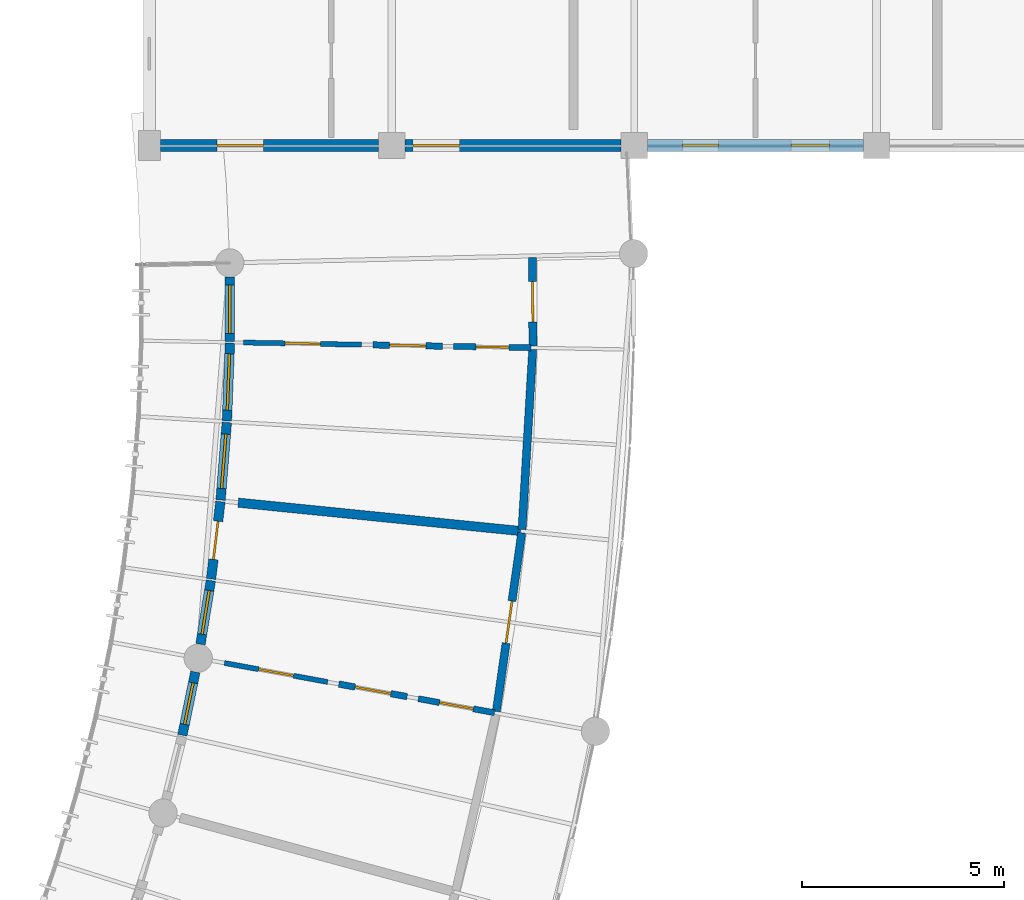
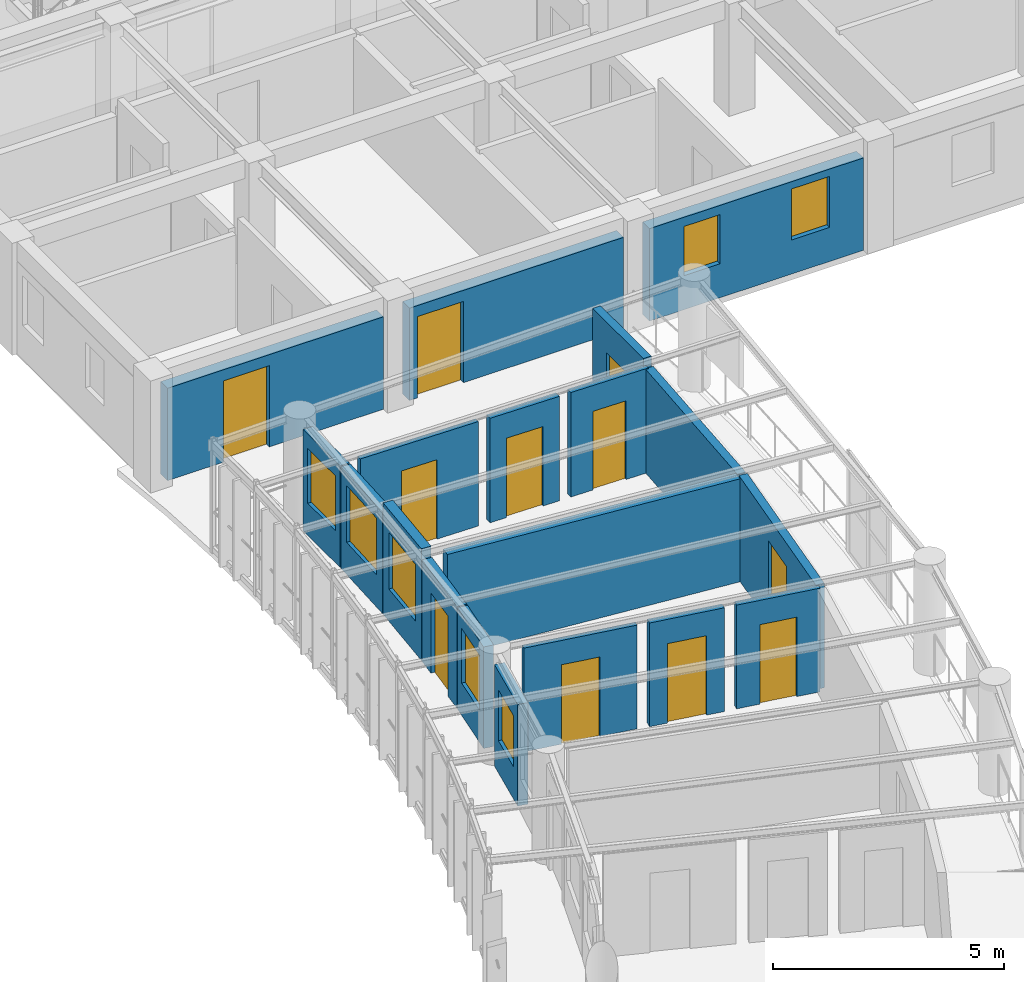
# One storey, part 67 of 100: 19 walls, 11 doors, 7 windows, 18 openings.
"""IFC4 building model written with IfcOpenShell, lengths in metres."""

from ifc_helpers import new_model, si_unit, direction, frame, frame_2d, origin, place, context, subcontext, project, spatial, rectangle, extrude, material, layer, layer_set, type_object, element, fill, save


model = new_model("IFC4")

# Units and contexts
model_context = context("Model", 3, precision=1e-05, world=origin(), true_north=direction((0.0, 1.0)))
body_context = subcontext(model_context, "Body", "Model", "MODEL_VIEW")
ifc_project = project(units=[si_unit("LENGTHUNIT", "METRE"), si_unit("AREAUNIT", "SQUARE_METRE"), si_unit("VOLUMEUNIT", "CUBIC_METRE"), si_unit("PLANEANGLEUNIT", "RADIAN"), si_unit("MASSUNIT", "GRAM", prefix="KILO"), si_unit("POWERUNIT", "WATT"), si_unit("THERMODYNAMICTEMPERATUREUNIT", "KELVIN")], contexts=[model_context])

# Site, building, storey
site_placement = place(None, origin())
site = spatial("IfcSite", under=ifc_project, at=site_placement, CompositionType="ELEMENT")
building_placement = place(site_placement, origin())
building = spatial("IfcBuilding", under=site, at=building_placement, Name="Ruvembo Vaulted Housing Court", CompositionType="ELEMENT")
storey_placement = place(building_placement, frame((0.0, 0.0, 10.89990234375)))
storey = spatial("IfcBuildingStorey", under=building, at=storey_placement, Name="L03", CompositionType="ELEMENT", Elevation=10.89990234375)

# Wall, opening, door
ifc_material_1 = material(Name="Concrete Blockwork 200", Category="masonry")
ifc_layer_1 = layer(ifc_material_1, 0.199951171875, Name="Concrete Blockwork 200")
ifc_layer_set_1 = layer_set([ifc_layer_1], Name="Concrete Blockwork 200")
wall_type_1 = type_object("IfcWallType", Name="WL-CORR-200", PredefinedType="SOLIDWALL", material=ifc_layer_set_1)
wall_1_placement = place(storey_placement, frame((56.587646484375, 63.98779296875, 0.0), z_axis=(0.0, 0.0, 1.0), x_axis=(0.140732688284, 0.990047630394, 0.0)))
wall_1 = element("IfcWall", 1, at=wall_1_placement, inside=storey, type_object=wall_type_1, Name="L03 Suite SC1-L03-U4 Entrance WL-INT-L03-00994", PredefinedType="SOLIDWALL", context=body_context, shape_type="SweptSolid", body=[
    extrude(rectangle(XDim=4.467041015625, YDim=0.199951171875, at=frame_2d((2.2333984375, 0.0))), origin(), (0.0, 0.0, 1.0), 2.76220703125),
])
opening_1_placement = place(wall_1_placement, frame((1.70849609375, 0.0, 0.0)))
opening_1 = element("IfcOpeningElement", 2, at=opening_1_placement, cuts=wall_1, Name="Opening FD3", PredefinedType="OPENING", context=body_context, shape_type="SweptSolid", body=[
    extrude(rectangle(XDim=1.050048828125, YDim=2.14990234375, at=frame_2d((0.52490234375, 1.074951171875))), frame((0.0, 0.10986328125, 0.0), z_axis=(0.0, -1.0, 0.0), x_axis=(1.0, 0.0, 0.0)), (0.0, 0.0, 1.0), 0.219970703125),
])
ifc_material_2 = material(Name="FSC Hardwood and Engineered Timber", Category="wood")
door_type_1 = type_object("IfcDoorType", Name="DR-FLAT-1050x2150", OperationType="NOTDEFINED", PredefinedType="DOOR", material=ifc_material_2)
door_1_placement = place(opening_1_placement, origin())
door_1 = element("IfcDoor", 3, at=door_1_placement, inside=storey, type_object=door_type_1, Name="L03 Suite SC1-L03-U4 Entrance Door DR-INT-L03-00548", OperationType="SINGLE_SWING_RIGHT", OverallHeight=2.14990234375, OverallWidth=1.050048828125, PredefinedType="DOOR", context=body_context, shape_type="SweptSolid", body=[
    extrude(rectangle(XDim=1.050048828125, YDim=2.14990234375, at=frame_2d((0.52490234375, 1.074951171875))), frame((0.0, 0.02490234375, 0.0), z_axis=(0.0, -1.0, 0.0), x_axis=(1.0, 0.0, 0.0)), (0.0, 0.0, 1.0), 0.050048828125),
])
fill(opening_1, door_1)

# Wall
wall_2_placement = place(storey_placement, frame((57.22412109375, 68.489990234375, 0.0), z_axis=(0.0, 0.0, 1.0), x_axis=(0.059132085895, 0.998250167252, 0.0)))
element("IfcWall", 4, at=wall_2_placement, inside=storey, type_object=wall_type_1, Name="L03 Suite SC1-L03-U5 Gallery Wall WL-INT-L03-00999", PredefinedType="SOLIDWALL", context=body_context, shape_type="SweptSolid", body=[
    extrude(rectangle(XDim=4.46728515625, YDim=0.199951171875, at=frame_2d((2.233642578125, 0.0))), origin(), (0.0, 0.0, 1.0), 2.7421875),
])

# Wall, opening, door
wall_3_placement = place(storey_placement, frame((57.49072265625, 73.029296875, 0.0), z_axis=(0.0, 0.0, 1.0), x_axis=(-0.0023367022, 0.999997269908, 0.0)))
wall_3 = element("IfcWall", 5, at=wall_3_placement, inside=storey, type_object=wall_type_1, Name="L03 Suite SC1-L03-U5 Entrance WL-INT-L03-01000", PredefinedType="SOLIDWALL", context=body_context, shape_type="SweptSolid", body=[
    extrude(rectangle(XDim=2.194091796875, YDim=0.199951171875, at=frame_2d((1.09716796875, 0.0))), origin(), (0.0, 0.0, 1.0), 2.960205078125),
])
opening_2_placement = place(wall_3_placement, frame((0.59716796875, 0.0, 0.0)))
opening_2 = element("IfcOpeningElement", 6, at=opening_2_placement, cuts=wall_3, Name="Opening FD1", PredefinedType="OPENING", context=body_context, shape_type="SweptSolid", body=[
    extrude(rectangle(XDim=1.0, YDim=2.14990234375, at=frame_2d((0.5, 1.074951171875))), frame((0.0, 0.10986328125, 0.0), z_axis=(0.0, -1.0, 0.0), x_axis=(1.0, 0.0, 0.0)), (0.0, 0.0, 1.0), 0.219970703125),
])
door_type_2 = type_object("IfcDoorType", Name="DR-FLAT-1000x2150", OperationType="NOTDEFINED", PredefinedType="DOOR", material=ifc_material_2)
door_2_placement = place(opening_2_placement, origin())
door_2 = element("IfcDoor", 7, at=door_2_placement, inside=storey, type_object=door_type_2, Name="L03 Suite SC1-L03-U5 Entrance Door DR-INT-L03-00552", OperationType="SINGLE_SWING_RIGHT", OverallHeight=2.14990234375, OverallWidth=1.0, PredefinedType="DOOR", context=body_context, shape_type="SweptSolid", body=[
    extrude(rectangle(XDim=1.0, YDim=2.14990234375, at=frame_2d((0.5, 1.074951171875))), frame((0.0, 0.02490234375, 0.0), z_axis=(0.0, -1.0, 0.0), x_axis=(1.0, 0.0, 0.0)), (0.0, 0.0, 1.0), 0.050048828125),
])
fill(opening_2, door_2)

# Wall
ifc_material_3 = material(Name="Acoustic Masonry Demising 230", Category="masonry")
ifc_layer_2 = layer(ifc_material_3, 0.22998046875, Name="Acoustic Masonry Demising 230")
ifc_layer_set_2 = layer_set([ifc_layer_2], Name="Acoustic Masonry Demising 230")
wall_type_2 = type_object("IfcWallType", Name="WL-DEM-230", PredefinedType="SOLIDWALL", material=ifc_layer_set_2)
wall_4_placement = place(storey_placement, frame((50.197265625, 69.156005859375, 0.0), z_axis=(0.0, 0.0, 1.0), x_axis=(0.994988519083, -0.09998923389, 0.0)))
element("IfcWall", 8, at=wall_4_placement, inside=storey, type_object=wall_type_2, Name="L03 Suite SC1-L03-U4 Demising WL-INT-L03-00998", PredefinedType="SOLIDWALL", context=body_context, shape_type="SweptSolid", body=[
    extrude(rectangle(XDim=7.019775390625, YDim=0.22998046875, at=frame_2d((3.509765625, 0.0))), origin(), (0.0, 0.0, 1.0), 2.72216796875),
])

# Wall, opening, window
ifc_material_4 = material(Name="Rendered Masonry 235", Category="masonry")
ifc_layer_3 = layer(ifc_material_4, 0.235107421875, Name="Rendered Masonry 235")
ifc_layer_set_3 = layer_set([ifc_layer_3], Name="Rendered Masonry 235")
wall_type_3 = type_object("IfcWallType", Name="WL-EXT-235", PredefinedType="STANDARD", material=ifc_layer_set_3)
wall_5_placement = place(storey_placement, frame((48.814453125, 63.3994140625, 0.0), z_axis=(0.0, 0.0, 1.0), x_axis=(0.201199946108, 0.979550193551, 0.0)))
wall_5 = element("IfcWall", 9, at=wall_5_placement, inside=storey, type_object=wall_type_3, Name="Scoop SC1 L03 Concave Balcony Wall 13", PredefinedType="STANDARD", context=body_context, shape_type="SweptSolid", body=[
    extrude(rectangle(XDim=1.596923828125, YDim=0.235107421875, at=frame_2d((0.79833984375, 0.0))), origin(), (0.0, 0.0, 1.0), 2.68408203125),
])
opening_3_placement = place(wall_5_placement, frame((0.2734375, 0.0, 0.85009765625)))
opening_3 = element("IfcOpeningElement", 10, at=opening_3_placement, cuts=wall_5, Name="Opening W09", PredefinedType="OPENING", context=body_context, shape_type="SweptSolid", body=[
    extrude(rectangle(XDim=1.050048828125, YDim=1.35009765625, at=frame_2d((0.52490234375, 0.675048828125))), frame((0.0, 0.12744140625, 0.0), z_axis=(0.0, -1.0, 0.0), x_axis=(1.0, 0.0, 0.0)), (0.0, 0.0, 1.0), 0.255126953125),
])
ifc_material_5 = material(Name="Double Solar-Control Glazing in Aluminium Frame", Category="aluminium")
window_type_1 = type_object("IfcWindowType", Name="WIN-1050x1350", PartitioningType="SINGLE_PANEL", PredefinedType="WINDOW", material=ifc_material_5)
window_1_placement = place(opening_3_placement, origin())
window_1 = element("IfcWindow", 11, at=window_1_placement, inside=storey, type_object=window_type_1, Name="Scoop SC1 L03 Concave Window 13", OverallHeight=1.35009765625, OverallWidth=1.050048828125, PartitioningType="SINGLE_PANEL", PredefinedType="WINDOW", context=body_context, shape_type="SweptSolid", body=[
    extrude(rectangle(XDim=1.050048828125, YDim=1.35009765625, at=frame_2d((0.52490234375, 0.675048828125))), frame((0.0, 0.030029296875, 0.0), z_axis=(0.0, -1.0, 0.0), x_axis=(1.0, 0.0, 0.0)), (0.0, 0.0, 1.0), 0.06005859375),
])
fill(opening_3, window_1)

wall_6_placement = place(storey_placement, frame((49.262451171875, 65.65185546875, 0.0), z_axis=(0.0, 0.0, 1.0), x_axis=(0.16100120568, 0.986954209561, 0.0)))
wall_6 = element("IfcWall", 12, at=wall_6_placement, inside=storey, type_object=wall_type_3, Name="Scoop SC1 L03 Concave Balcony Wall 14", PredefinedType="STANDARD", context=body_context, shape_type="SweptSolid", body=[
    extrude(rectangle(XDim=1.5966796875, YDim=0.235107421875, at=frame_2d((0.79833984375, 0.0))), origin(), (0.0, 0.0, 1.0), 2.68408203125),
])
opening_4_placement = place(wall_6_placement, frame((0.24853515625, 0.0, 0.85009765625)))
opening_4 = element("IfcOpeningElement", 13, at=opening_4_placement, cuts=wall_6, Name="Opening W10", PredefinedType="OPENING", context=body_context, shape_type="SweptSolid", body=[
    extrude(rectangle(XDim=1.10009765625, YDim=1.449951171875, at=frame_2d((0.550048828125, 0.72509765625))), frame((0.0, 0.12744140625, 0.0), z_axis=(0.0, -1.0, 0.0), x_axis=(1.0, 0.0, 0.0)), (0.0, 0.0, 1.0), 0.255126953125),
])
window_type_2 = type_object("IfcWindowType", Name="WIN-1100x1450", PartitioningType="SINGLE_PANEL", PredefinedType="WINDOW", material=ifc_material_5)
window_2_placement = place(opening_4_placement, origin())
window_2 = element("IfcWindow", 14, at=window_2_placement, inside=storey, type_object=window_type_2, Name="Scoop SC1 L03 Concave Window 14", OverallHeight=1.449951171875, OverallWidth=1.10009765625, PartitioningType="SINGLE_PANEL", PredefinedType="WINDOW", context=body_context, shape_type="SweptSolid", body=[
    extrude(rectangle(XDim=1.10009765625, YDim=1.449951171875, at=frame_2d((0.550048828125, 0.72509765625))), frame((0.0, 0.030029296875, 0.0), z_axis=(0.0, -1.0, 0.0), x_axis=(1.0, 0.0, 0.0)), (0.0, 0.0, 1.0), 0.06005859375),
])
fill(opening_4, window_2)

# Wall, opening, door
wall_7_placement = place(storey_placement, frame((49.525146484375, 67.267578125, 0.0), z_axis=(0.0, 0.0, 1.0), x_axis=(0.120384349076, 0.992727358592, 0.0)))
wall_7 = element("IfcWall", 15, at=wall_7_placement, inside=storey, type_object=wall_type_3, Name="Scoop SC1 L03 Concave Balcony Wall 15", PredefinedType="STANDARD", context=body_context, shape_type="SweptSolid", body=[
    extrude(rectangle(XDim=1.926513671875, YDim=0.235107421875, at=frame_2d((0.96337890625, 0.0))), origin(), (0.0, 0.0, 1.0), 2.68408203125),
])
opening_5_placement = place(wall_7_placement, frame((0.48828125, 0.0, 0.0)))
opening_5 = element("IfcOpeningElement", 16, at=opening_5_placement, cuts=wall_7, Name="Opening BD0", PredefinedType="OPENING", context=body_context, shape_type="SweptSolid", body=[
    extrude(rectangle(XDim=0.949951171875, YDim=2.1201171875, at=frame_2d((0.47509765625, 1.06005859375))), frame((0.0, 0.12744140625, 0.0), z_axis=(0.0, -1.0, 0.0), x_axis=(1.0, 0.0, 0.0)), (0.0, 0.0, 1.0), 0.255126953125),
])
ifc_material_6 = material(Name="Thermally Broken Glazed Aluminium", Category="aluminium")
door_type_3 = type_object("IfcDoorType", Name="DR-BAL-0950x2120", OperationType="NOTDEFINED", PredefinedType="DOOR", material=ifc_material_6)
door_3_placement = place(opening_5_placement, origin())
door_3 = element("IfcDoor", 17, at=door_3_placement, inside=storey, type_object=door_type_3, Name="Scoop SC1 L03 Balcony Door 15", OperationType="SINGLE_SWING_LEFT", OverallHeight=2.1201171875, OverallWidth=0.949951171875, PredefinedType="DOOR", context=body_context, shape_type="SweptSolid", body=[
    extrude(rectangle(XDim=0.949951171875, YDim=2.1201171875, at=frame_2d((0.47509765625, 1.06005859375))), frame((0.0, 0.02490234375, 0.0), z_axis=(0.0, -1.0, 0.0), x_axis=(1.0, 0.0, 0.0)), (0.0, 0.0, 1.0), 0.050048828125),
])
fill(opening_5, door_3)

# Wall, opening, window
wall_8_placement = place(storey_placement, frame((49.760986328125, 69.219970703125, 0.0), z_axis=(0.0, 0.0, 1.0), x_axis=(0.079573991137, 0.996828962227, 0.0)))
wall_8 = element("IfcWall", 18, at=wall_8_placement, inside=storey, type_object=wall_type_3, Name="Scoop SC1 L03 Concave Balcony Wall 16", PredefinedType="STANDARD", context=body_context, shape_type="SweptSolid", body=[
    extrude(rectangle(XDim=1.9267578125, YDim=0.235107421875, at=frame_2d((0.96337890625, 0.0))), origin(), (0.0, 0.0, 1.0), 2.947998046875),
])
opening_6_placement = place(wall_8_placement, frame((0.28857421875, 0.0, 0.85009765625)))
opening_6 = element("IfcOpeningElement", 19, at=opening_6_placement, cuts=wall_8, Name="Opening W16", PredefinedType="OPENING", context=body_context, shape_type="SweptSolid", body=[
    extrude(rectangle(XDim=1.35009765625, YDim=1.5, at=frame_2d((0.675048828125, 0.75))), frame((0.0, 0.12744140625, 0.0), z_axis=(0.0, -1.0, 0.0), x_axis=(1.0, 0.0, 0.0)), (0.0, 0.0, 1.0), 0.255126953125),
])
window_type_3 = type_object("IfcWindowType", Name="WIN-1350x1500", PartitioningType="SINGLE_PANEL", PredefinedType="WINDOW", material=ifc_material_5)
window_3_placement = place(opening_6_placement, origin())
window_3 = element("IfcWindow", 20, at=window_3_placement, inside=storey, type_object=window_type_3, Name="Scoop SC1 L03 Concave Window 16", OverallHeight=1.5, OverallWidth=1.35009765625, PartitioningType="SINGLE_PANEL", PredefinedType="WINDOW", context=body_context, shape_type="SweptSolid", body=[
    extrude(rectangle(XDim=1.35009765625, YDim=1.5, at=frame_2d((0.675048828125, 0.75))), frame((0.0, 0.030029296875, 0.0), z_axis=(0.0, -1.0, 0.0), x_axis=(1.0, 0.0, 0.0)), (0.0, 0.0, 1.0), 0.06005859375),
])
fill(opening_6, window_3)

wall_9_placement = place(storey_placement, frame((49.916748046875, 71.1806640625, 0.0), z_axis=(0.0, 0.0, 1.0), x_axis=(0.038647240614, 0.999252916329, 0.0)))
wall_9 = element("IfcWall", 21, at=wall_9_placement, inside=storey, type_object=wall_type_3, Name="Scoop SC1 L03 Concave Balcony Wall 17", PredefinedType="STANDARD", context=body_context, shape_type="SweptSolid", body=[
    extrude(rectangle(XDim=1.9267578125, YDim=0.235107421875, at=frame_2d((0.96337890625, 0.0))), origin(), (0.0, 0.0, 1.0), 2.68408203125),
])
opening_7_placement = place(wall_9_placement, frame((0.263427734375, 0.0, 0.85009765625)))
opening_7 = element("IfcOpeningElement", 22, at=opening_7_placement, cuts=wall_9, Name="Opening W17", PredefinedType="OPENING", context=body_context, shape_type="SweptSolid", body=[
    extrude(rectangle(XDim=1.39990234375, YDim=1.5, at=frame_2d((0.699951171875, 0.75))), frame((0.0, 0.12744140625, 0.0), z_axis=(0.0, -1.0, 0.0), x_axis=(1.0, 0.0, 0.0)), (0.0, 0.0, 1.0), 0.255126953125),
])
window_type_4 = type_object("IfcWindowType", Name="WIN-1400x1500", PartitioningType="SINGLE_PANEL", PredefinedType="WINDOW", material=ifc_material_5)
window_4_placement = place(opening_7_placement, origin())
window_4 = element("IfcWindow", 23, at=window_4_placement, inside=storey, type_object=window_type_4, Name="Scoop SC1 L03 Concave Window 17", OverallHeight=1.5, OverallWidth=1.39990234375, PartitioningType="SINGLE_PANEL", PredefinedType="WINDOW", context=body_context, shape_type="SweptSolid", body=[
    extrude(rectangle(XDim=1.39990234375, YDim=1.5, at=frame_2d((0.699951171875, 0.75))), frame((0.0, 0.030029296875, 0.0), z_axis=(0.0, -1.0, 0.0), x_axis=(1.0, 0.0, 0.0)), (0.0, 0.0, 1.0), 0.06005859375),
])
fill(opening_7, window_4)

wall_10_placement = place(storey_placement, frame((49.991943359375, 73.14599609375, 0.0), z_axis=(0.0, 0.0, 1.0), x_axis=(-0.002293571949, 0.99999736976, 0.0)))
wall_10 = element("IfcWall", 24, at=wall_10_placement, inside=storey, type_object=wall_type_3, Name="Scoop SC1 L03 Concave Balcony Wall 18", PredefinedType="STANDARD", context=body_context, shape_type="SweptSolid", body=[
    extrude(rectangle(XDim=1.5966796875, YDim=0.235107421875, at=frame_2d((0.79833984375, 0.0))), origin(), (0.0, 0.0, 1.0), 2.68408203125),
])
opening_8_placement = place(wall_10_placement, frame((0.198486328125, 0.0, 0.85009765625)))
opening_8 = element("IfcOpeningElement", 25, at=opening_8_placement, cuts=wall_10, Name="Opening W13", PredefinedType="OPENING", context=body_context, shape_type="SweptSolid", body=[
    extrude(rectangle(XDim=1.199951171875, YDim=1.449951171875, at=frame_2d((0.60009765625, 0.72509765625))), frame((0.0, 0.12744140625, 0.0), z_axis=(0.0, -1.0, 0.0), x_axis=(1.0, 0.0, 0.0)), (0.0, 0.0, 1.0), 0.255126953125),
])
window_type_5 = type_object("IfcWindowType", Name="WIN-1200x1450", PartitioningType="SINGLE_PANEL", PredefinedType="WINDOW", material=ifc_material_5)
window_5_placement = place(opening_8_placement, origin())
window_5 = element("IfcWindow", 26, at=window_5_placement, inside=storey, type_object=window_type_5, Name="Scoop SC1 L03 Concave Window 18", OverallHeight=1.449951171875, OverallWidth=1.199951171875, PartitioningType="SINGLE_PANEL", PredefinedType="WINDOW", context=body_context, shape_type="SweptSolid", body=[
    extrude(rectangle(XDim=1.199951171875, YDim=1.449951171875, at=frame_2d((0.60009765625, 0.72509765625))), frame((0.0, 0.030029296875, 0.0), z_axis=(0.0, -1.0, 0.0), x_axis=(1.0, 0.0, 0.0)), (0.0, 0.0, 1.0), 0.06005859375),
])
fill(opening_8, window_5)

# Wall, opening, door
ifc_material_7 = material(Name="Rendered Masonry 300", Category="masonry")
ifc_layer_4 = layer(ifc_material_7, 0.300048828125, Name="Rendered Masonry 300")
ifc_layer_set_4 = layer_set([ifc_layer_4], Name="Rendered Masonry 300")
wall_type_4 = type_object("IfcWallType", Name="WL-EXT-300", PredefinedType="STANDARD", material=ifc_layer_set_4)
wall_11_placement = place(storey_placement, frame((48.27490234375, 78.0, 0.0), z_axis=(0.0, 0.0, 1.0), x_axis=(1.0, 0.0, 0.0)))
wall_11 = element("IfcWall", 27, at=wall_11_placement, inside=storey, type_object=wall_type_4, Name="Block B L03 Exterior Wall COURTYARD #1", PredefinedType="STANDARD", context=body_context, shape_type="SweptSolid", body=[
    extrude(rectangle(XDim=5.400146484375, YDim=0.300048828125, at=frame_2d((2.7001953125, 0.0))), origin(), (0.0, 0.0, 1.0), 2.442138671875),
])
opening_9_placement = place(wall_11_placement, frame((1.397705078125, 0.0, 0.0)))
opening_9 = element("IfcOpeningElement", 28, at=opening_9_placement, cuts=wall_11, Name="Opening GD1", PredefinedType="OPENING", context=body_context, shape_type="SweptSolid", body=[
    extrude(rectangle(XDim=1.14990234375, YDim=2.14990234375, at=frame_2d((0.574951171875, 1.074951171875))), frame((0.0, 0.159912109375, 0.0), z_axis=(0.0, -1.0, 0.0), x_axis=(1.0, 0.0, 0.0)), (0.0, 0.0, 1.0), 0.320068359375),
])
door_type_4 = type_object("IfcDoorType", Name="DR-GAL-1150x2150", OperationType="NOTDEFINED", PredefinedType="DOOR", material=ifc_material_6)
door_4_placement = place(opening_9_placement, frame((1.14990234375, 0.0, 0.0), z_axis=(0.0, 0.0, 1.0), x_axis=(-1.0, 0.0, 0.0)))
door_4 = element("IfcDoor", 29, at=door_4_placement, inside=storey, type_object=door_type_4, Name="Block B L03 Terrace or Gallery Door DR-TER-B-L03-035", OperationType="SINGLE_SWING_RIGHT", OverallHeight=2.14990234375, OverallWidth=1.14990234375, PredefinedType="DOOR", context=body_context, shape_type="SweptSolid", body=[
    extrude(rectangle(XDim=1.14990234375, YDim=2.14990234375, at=frame_2d((0.574951171875, 1.074951171875))), frame((0.0, 0.02490234375, 0.0), z_axis=(0.0, -1.0, 0.0), x_axis=(1.0, 0.0, 0.0)), (0.0, 0.0, 1.0), 0.050048828125),
])
fill(opening_9, door_4)

wall_12_placement = place(storey_placement, frame((54.324951171875, 78.0, 0.0), z_axis=(0.0, 0.0, 1.0), x_axis=(1.0, 0.0, 0.0)))
wall_12 = element("IfcWall", 30, at=wall_12_placement, inside=storey, type_object=wall_type_4, Name="Block B L03 Exterior Wall COURTYARD #2", PredefinedType="STANDARD", context=body_context, shape_type="SweptSolid", body=[
    extrude(rectangle(XDim=5.35009765625, YDim=0.300048828125, at=frame_2d((2.675048828125, 0.0))), origin(), (0.0, 0.0, 1.0), 2.442138671875),
])
opening_10_placement = place(wall_12_placement, frame((0.199951171875, 0.0, 0.0)))
opening_10 = element("IfcOpeningElement", 31, at=opening_10_placement, cuts=wall_12, Name="Opening GD1", PredefinedType="OPENING", context=body_context, shape_type="SweptSolid", body=[
    extrude(rectangle(XDim=1.14990234375, YDim=2.14990234375, at=frame_2d((0.574951171875, 1.074951171875))), frame((0.0, 0.159912109375, 0.0), z_axis=(0.0, -1.0, 0.0), x_axis=(1.0, 0.0, 0.0)), (0.0, 0.0, 1.0), 0.320068359375),
])
door_5_placement = place(opening_10_placement, frame((1.14990234375, 0.0, 0.0), z_axis=(0.0, 0.0, 1.0), x_axis=(-1.0, 0.0, 0.0)))
door_5 = element("IfcDoor", 32, at=door_5_placement, inside=storey, type_object=door_type_4, Name="Block B L03 Terrace or Gallery Door DR-TER-B-L03-036", OperationType="SINGLE_SWING_LEFT", OverallHeight=2.14990234375, OverallWidth=1.14990234375, PredefinedType="DOOR", context=body_context, shape_type="SweptSolid", body=[
    extrude(rectangle(XDim=1.14990234375, YDim=2.14990234375, at=frame_2d((0.574951171875, 1.074951171875))), frame((0.0, 0.02490234375, 0.0), z_axis=(0.0, -1.0, 0.0), x_axis=(1.0, 0.0, 0.0)), (0.0, 0.0, 1.0), 0.050048828125),
])
fill(opening_10, door_5)

# Wall, openings, windows
wall_13_placement = place(storey_placement, frame((60.324951171875, 78.0, 0.0), z_axis=(0.0, 0.0, 1.0), x_axis=(1.0, 0.0, 0.0)))
wall_13 = element("IfcWall", 33, at=wall_13_placement, inside=storey, type_object=wall_type_4, Name="Block B L03 Exterior Wall COURTYARD #3", PredefinedType="STANDARD", context=body_context, shape_type="SweptSolid", body=[
    extrude(rectangle(XDim=5.35009765625, YDim=0.300048828125, at=frame_2d((2.675048828125, 0.0))), origin(), (0.0, 0.0, 1.0), 2.442138671875),
])
opening_11_placement = place(wall_13_placement, frame((0.867431640625, 0.0, 0.89990234375)))
opening_11 = element("IfcOpeningElement", 34, at=opening_11_placement, cuts=wall_13, Name="Opening W04", PredefinedType="OPENING", context=body_context, shape_type="SweptSolid", body=[
    extrude(rectangle(XDim=0.89990234375, YDim=1.300048828125, at=frame_2d((0.449951171875, 0.64990234375))), frame((0.0, 0.159912109375, 0.0), z_axis=(0.0, -1.0, 0.0), x_axis=(1.0, 0.0, 0.0)), (0.0, 0.0, 1.0), 0.320068359375),
])
opening_12_placement = place(wall_13_placement, frame((3.5576171875, 0.0, 0.89990234375)))
opening_12 = element("IfcOpeningElement", 35, at=opening_12_placement, cuts=wall_13, Name="Opening W07", PredefinedType="OPENING", context=body_context, shape_type="SweptSolid", body=[
    extrude(rectangle(XDim=0.949951171875, YDim=1.35009765625, at=frame_2d((0.47509765625, 0.675048828125))), frame((0.0, 0.159912109375, 0.0), z_axis=(0.0, -1.0, 0.0), x_axis=(1.0, 0.0, 0.0)), (0.0, 0.0, 1.0), 0.320068359375),
])
window_type_6 = type_object("IfcWindowType", Name="WIN-0900x1300", PartitioningType="SINGLE_PANEL", PredefinedType="WINDOW", material=ifc_material_5)
window_6_placement = place(opening_11_placement, origin())
window_6 = element("IfcWindow", 36, at=window_6_placement, inside=storey, type_object=window_type_6, Name="Block B L03 Window #728", OverallHeight=1.300048828125, OverallWidth=0.89990234375, PartitioningType="SINGLE_PANEL", PredefinedType="WINDOW", context=body_context, shape_type="SweptSolid", body=[
    extrude(rectangle(XDim=0.89990234375, YDim=1.300048828125, at=frame_2d((0.449951171875, 0.64990234375))), frame((0.0, 0.030029296875, 0.0), z_axis=(0.0, -1.0, 0.0), x_axis=(1.0, 0.0, 0.0)), (0.0, 0.0, 1.0), 0.06005859375),
])
fill(opening_11, window_6)
window_type_7 = type_object("IfcWindowType", Name="WIN-0950x1350", PartitioningType="SINGLE_PANEL", PredefinedType="WINDOW", material=ifc_material_5)
window_7_placement = place(opening_12_placement, origin())
window_7 = element("IfcWindow", 37, at=window_7_placement, inside=storey, type_object=window_type_7, Name="Block B L03 Window #729", OverallHeight=1.35009765625, OverallWidth=0.949951171875, PartitioningType="SINGLE_PANEL", PredefinedType="WINDOW", context=body_context, shape_type="SweptSolid", body=[
    extrude(rectangle(XDim=0.949951171875, YDim=1.35009765625, at=frame_2d((0.47509765625, 0.675048828125))), frame((0.0, 0.030029296875, 0.0), z_axis=(0.0, -1.0, 0.0), x_axis=(1.0, 0.0, 0.0)), (0.0, 0.0, 1.0), 0.06005859375),
])
fill(opening_12, window_7)

# Wall, opening, door
ifc_material_8 = material(Name="Plasterboard Stud Partition 125", Category="gypsum")
ifc_layer_5 = layer(ifc_material_8, 0.125, Name="Plasterboard Stud Partition 125")
ifc_layer_set_5 = layer_set([ifc_layer_5], Name="Plasterboard Stud Partition 125")
wall_type_5 = type_object("IfcWallType", Name="WL-PART-125", PredefinedType="PARTITIONING", material=ifc_layer_set_5)
wall_14_placement = place(storey_placement, frame((49.855224609375, 65.18701171875, 0.0), z_axis=(0.0, 0.0, 1.0), x_axis=(0.983443502225, -0.181215004706, 0.0)))
wall_14 = element("IfcWall", 38, at=wall_14_placement, inside=storey, type_object=wall_type_5, Name="L03 Suite SC1-L03-U4 Bedroom WL-INT-L03-00995", PredefinedType="PARTITIONING", context=body_context, shape_type="SweptSolid", body=[
    extrude(rectangle(XDim=2.60009765625, YDim=0.125, at=frame_2d((1.300048828125, 0.0))), origin(), (0.0, 0.0, 1.0), 2.7421875),
])
opening_13_placement = place(wall_14_placement, frame((0.860107421875, 0.0, 0.0)))
opening_13 = element("IfcOpeningElement", 39, at=opening_13_placement, cuts=wall_14, Name="Opening ID3", PredefinedType="OPENING", context=body_context, shape_type="SweptSolid", body=[
    extrude(rectangle(XDim=0.8798828125, YDim=2.10009765625, at=frame_2d((0.43994140625, 1.050048828125))), frame((0.0, 0.072509765625, 0.0), z_axis=(0.0, -1.0, 0.0), x_axis=(1.0, 0.0, 0.0)), (0.0, 0.0, 1.0), 0.14501953125),
])
door_type_5 = type_object("IfcDoorType", Name="DR-ROOM-0880x2100", OperationType="NOTDEFINED", PredefinedType="DOOR", material=ifc_material_2)
door_6_placement = place(opening_13_placement, origin())
door_6 = element("IfcDoor", 40, at=door_6_placement, inside=storey, type_object=door_type_5, Name="L03 Suite SC1-L03-U4 Bedroom Door DR-INT-L03-00549", OperationType="SINGLE_SWING_LEFT", OverallHeight=2.10009765625, OverallWidth=0.8798828125, PredefinedType="DOOR", context=body_context, shape_type="SweptSolid", body=[
    extrude(rectangle(XDim=0.8798828125, YDim=2.10009765625, at=frame_2d((0.43994140625, 1.050048828125))), frame((0.0, 0.02490234375, 0.0), z_axis=(0.0, -1.0, 0.0), x_axis=(1.0, 0.0, 0.0)), (0.0, 0.0, 1.0), 0.050048828125),
])
fill(opening_13, door_6)

wall_15_placement = place(storey_placement, frame((50.33203125, 73.11962890625, 0.0), z_axis=(0.0, 0.0, 1.0), x_axis=(0.999833866331, -0.018227444628, 0.0)))
wall_15 = element("IfcWall", 41, at=wall_15_placement, inside=storey, type_object=wall_type_5, Name="L03 Suite SC1-L03-U5 Bedroom WL-INT-L03-01001", PredefinedType="PARTITIONING", context=body_context, shape_type="SweptSolid", body=[
    extrude(rectangle(XDim=2.919921875, YDim=0.125, at=frame_2d((1.4599609375, 0.0))), origin(), (0.0, 0.0, 1.0), 2.76220703125),
])
opening_14_placement = place(wall_15_placement, frame((1.02001953125, 0.0, 0.0)))
opening_14 = element("IfcOpeningElement", 42, at=opening_14_placement, cuts=wall_15, Name="Opening ID3", PredefinedType="OPENING", context=body_context, shape_type="SweptSolid", body=[
    extrude(rectangle(XDim=0.8798828125, YDim=2.10009765625, at=frame_2d((0.43994140625, 1.050048828125))), frame((0.0, 0.072509765625, 0.0), z_axis=(0.0, -1.0, 0.0), x_axis=(1.0, 0.0, 0.0)), (0.0, 0.0, 1.0), 0.14501953125),
])
door_7_placement = place(opening_14_placement, origin())
door_7 = element("IfcDoor", 43, at=door_7_placement, inside=storey, type_object=door_type_5, Name="L03 Suite SC1-L03-U5 Bedroom Door DR-INT-L03-00553", OperationType="SINGLE_SWING_LEFT", OverallHeight=2.10009765625, OverallWidth=0.8798828125, PredefinedType="DOOR", context=body_context, shape_type="SweptSolid", body=[
    extrude(rectangle(XDim=0.8798828125, YDim=2.10009765625, at=frame_2d((0.43994140625, 1.050048828125))), frame((0.0, 0.02490234375, 0.0), z_axis=(0.0, -1.0, 0.0), x_axis=(1.0, 0.0, 0.0)), (0.0, 0.0, 1.0), 0.050048828125),
])
fill(opening_14, door_7)

ifc_material_9 = material(Name="Moisture-Resistant Wet Partition 150", Category="gypsum")
ifc_layer_6 = layer(ifc_material_9, 0.14990234375, Name="Moisture-Resistant Wet Partition 150")
ifc_layer_set_6 = layer_set([ifc_layer_6], Name="Moisture-Resistant Wet Partition 150")
wall_type_6 = type_object("IfcWallType", Name="WL-PART-150", PredefinedType="PARTITIONING", material=ifc_layer_set_6)
wall_16_placement = place(storey_placement, frame((54.654541015625, 64.302978515625, 0.0), z_axis=(0.0, 0.0, 1.0), x_axis=(0.983468686283, -0.181078278933, 0.0)))
wall_16 = element("IfcWall", 44, at=wall_16_placement, inside=storey, type_object=wall_type_6, Name="L03 Suite SC1-L03-U4 Bathroom WL-INT-L03-00997", PredefinedType="PARTITIONING", context=body_context, shape_type="SweptSolid", body=[
    extrude(rectangle(XDim=1.919921875, YDim=0.14990234375, at=frame_2d((0.9599609375, 0.0))), origin(), (0.0, 0.0, 1.0), 2.7421875),
])
opening_15_placement = place(wall_16_placement, frame((0.534912109375, 0.0, 0.0)))
opening_15 = element("IfcOpeningElement", 45, at=opening_15_placement, cuts=wall_16, Name="Opening ID2", PredefinedType="OPENING", context=body_context, shape_type="SweptSolid", body=[
    extrude(rectangle(XDim=0.85009765625, YDim=2.10009765625, at=frame_2d((0.425048828125, 1.050048828125))), frame((0.0, 0.0849609375, 0.0), z_axis=(0.0, -1.0, 0.0), x_axis=(1.0, 0.0, 0.0)), (0.0, 0.0, 1.0), 0.169921875),
])
door_type_6 = type_object("IfcDoorType", Name="DR-WET-0850x2100", OperationType="NOTDEFINED", PredefinedType="DOOR", material=ifc_material_2)
door_8_placement = place(opening_15_placement, origin())
door_8 = element("IfcDoor", 46, at=door_8_placement, inside=storey, type_object=door_type_6, Name="L03 Suite SC1-L03-U4 Bathroom Door DR-INT-L03-00551", OperationType="SINGLE_SWING_LEFT", OverallHeight=2.10009765625, OverallWidth=0.85009765625, PredefinedType="DOOR", context=body_context, shape_type="SweptSolid", body=[
    extrude(rectangle(XDim=0.85009765625, YDim=2.10009765625, at=frame_2d((0.425048828125, 1.050048828125))), frame((0.0, 0.02490234375, 0.0), z_axis=(0.0, -1.0, 0.0), x_axis=(1.0, 0.0, 0.0)), (0.0, 0.0, 1.0), 0.050048828125),
])
fill(opening_15, door_8)

wall_17_placement = place(storey_placement, frame((55.531005859375, 73.02490234375, 0.0), z_axis=(0.0, 0.0, 1.0), x_axis=(0.99983466766, -0.018183436026, 0.0)))
wall_17 = element("IfcWall", 47, at=wall_17_placement, inside=storey, type_object=wall_type_6, Name="L03 Suite SC1-L03-U5 Bathroom WL-INT-L03-01003", PredefinedType="PARTITIONING", context=body_context, shape_type="SweptSolid", body=[
    extrude(rectangle(XDim=1.919921875, YDim=0.14990234375, at=frame_2d((0.9599609375, 0.0))), origin(), (0.0, 0.0, 1.0), 2.76220703125),
])
opening_16_placement = place(wall_17_placement, frame((0.550048828125, 0.0, 0.0)))
opening_16 = element("IfcOpeningElement", 48, at=opening_16_placement, cuts=wall_17, Name="Opening ID4", PredefinedType="OPENING", context=body_context, shape_type="SweptSolid", body=[
    extrude(rectangle(XDim=0.820068359375, YDim=2.080078125, at=frame_2d((0.41015625, 1.0400390625))), frame((0.0, 0.0849609375, 0.0), z_axis=(0.0, -1.0, 0.0), x_axis=(1.0, 0.0, 0.0)), (0.0, 0.0, 1.0), 0.169921875),
])
door_type_7 = type_object("IfcDoorType", Name="DR-WET-0820x2080", OperationType="NOTDEFINED", PredefinedType="DOOR", material=ifc_material_2)
door_9_placement = place(opening_16_placement, origin())
door_9 = element("IfcDoor", 49, at=door_9_placement, inside=storey, type_object=door_type_7, Name="L03 Suite SC1-L03-U5 Bathroom Door DR-INT-L03-00555", OperationType="SINGLE_SWING_LEFT", OverallHeight=2.080078125, OverallWidth=0.820068359375, PredefinedType="DOOR", context=body_context, shape_type="SweptSolid", body=[
    extrude(rectangle(XDim=0.820068359375, YDim=2.080078125, at=frame_2d((0.41015625, 1.0400390625))), frame((0.0, 0.02490234375, 0.0), z_axis=(0.0, -1.0, 0.0), x_axis=(1.0, 0.0, 0.0)), (0.0, 0.0, 1.0), 0.050048828125),
])
fill(opening_16, door_9)

ifc_material_10 = material(Name="Acoustic Service Chase Wall 160", Category="gypsum")
ifc_layer_7 = layer(ifc_material_10, 0.159912109375, Name="Acoustic Service Chase Wall 160")
ifc_layer_set_7 = layer_set([ifc_layer_7], Name="Acoustic Service Chase Wall 160")
wall_type_7 = type_object("IfcWallType", Name="WL-PLUMB-160", PredefinedType="PLUMBINGWALL", material=ifc_layer_set_7)
wall_18_placement = place(storey_placement, frame((52.6875, 64.665283203125, 0.0), z_axis=(0.0, 0.0, 1.0), x_axis=(0.983463169084, -0.181108241269, 0.0)))
wall_18 = element("IfcWall", 50, at=wall_18_placement, inside=storey, type_object=wall_type_7, Name="L03 Suite SC1-L03-U4 Kitchen WL-INT-L03-00996", PredefinedType="PLUMBINGWALL", context=body_context, shape_type="SweptSolid", body=[
    extrude(rectangle(XDim=1.72021484375, YDim=0.159912109375, at=frame_2d((0.860107421875, 0.0))), origin(), (0.0, 0.0, 1.0), 2.7421875),
])
opening_17_placement = place(wall_18_placement, frame((0.409912109375, 0.0, 0.0)))
opening_17 = element("IfcOpeningElement", 51, at=opening_17_placement, cuts=wall_18, Name="Opening ID1", PredefinedType="OPENING", context=body_context, shape_type="SweptSolid", body=[
    extrude(rectangle(XDim=0.89990234375, YDim=2.10009765625, at=frame_2d((0.449951171875, 1.050048828125))), frame((0.0, 0.08984375, 0.0), z_axis=(0.0, -1.0, 0.0), x_axis=(1.0, 0.0, 0.0)), (0.0, 0.0, 1.0), 0.179931640625),
])
door_type_8 = type_object("IfcDoorType", Name="DR-ROOM-0900x2100", OperationType="NOTDEFINED", PredefinedType="DOOR", material=ifc_material_2)
door_10_placement = place(opening_17_placement, origin())
door_10 = element("IfcDoor", 52, at=door_10_placement, inside=storey, type_object=door_type_8, Name="L03 Suite SC1-L03-U4 Kitchen Door DR-INT-L03-00550", OperationType="SINGLE_SWING_RIGHT", OverallHeight=2.10009765625, OverallWidth=0.89990234375, PredefinedType="DOOR", context=body_context, shape_type="SweptSolid", body=[
    extrude(rectangle(XDim=0.89990234375, YDim=2.10009765625, at=frame_2d((0.449951171875, 1.050048828125))), frame((0.0, 0.02490234375, 0.0), z_axis=(0.0, -1.0, 0.0), x_axis=(1.0, 0.0, 0.0)), (0.0, 0.0, 1.0), 0.050048828125),
])
fill(opening_17, door_10)

wall_19_placement = place(storey_placement, frame((53.531494140625, 73.0615234375, 0.0), z_axis=(0.0, 0.0, 1.0), x_axis=(0.999832350792, -0.018310388026, 0.0)))
wall_19 = element("IfcWall", 53, at=wall_19_placement, inside=storey, type_object=wall_type_7, Name="L03 Suite SC1-L03-U5 Kitchen WL-INT-L03-01002", PredefinedType="PLUMBINGWALL", context=body_context, shape_type="SweptSolid", body=[
    extrude(rectangle(XDim=1.719970703125, YDim=0.159912109375, at=frame_2d((0.85986328125, 0.0))), origin(), (0.0, 0.0, 1.0), 2.76220703125),
])
opening_18_placement = place(wall_19_placement, frame((0.409912109375, 0.0, 0.0)))
opening_18 = element("IfcOpeningElement", 54, at=opening_18_placement, cuts=wall_19, Name="Opening ID1", PredefinedType="OPENING", context=body_context, shape_type="SweptSolid", body=[
    extrude(rectangle(XDim=0.89990234375, YDim=2.10009765625, at=frame_2d((0.449951171875, 1.050048828125))), frame((0.0, 0.08984375, 0.0), z_axis=(0.0, -1.0, 0.0), x_axis=(1.0, 0.0, 0.0)), (0.0, 0.0, 1.0), 0.179931640625),
])
door_11_placement = place(opening_18_placement, origin())
door_11 = element("IfcDoor", 55, at=door_11_placement, inside=storey, type_object=door_type_8, Name="L03 Suite SC1-L03-U5 Kitchen Door DR-INT-L03-00554", OperationType="SINGLE_SWING_RIGHT", OverallHeight=2.10009765625, OverallWidth=0.89990234375, PredefinedType="DOOR", context=body_context, shape_type="SweptSolid", body=[
    extrude(rectangle(XDim=0.89990234375, YDim=2.10009765625, at=frame_2d((0.449951171875, 1.050048828125))), frame((0.0, 0.02490234375, 0.0), z_axis=(0.0, -1.0, 0.0), x_axis=(1.0, 0.0, 0.0)), (0.0, 0.0, 1.0), 0.050048828125),
])
fill(opening_18, door_11)

save(model, "model.ifc")
